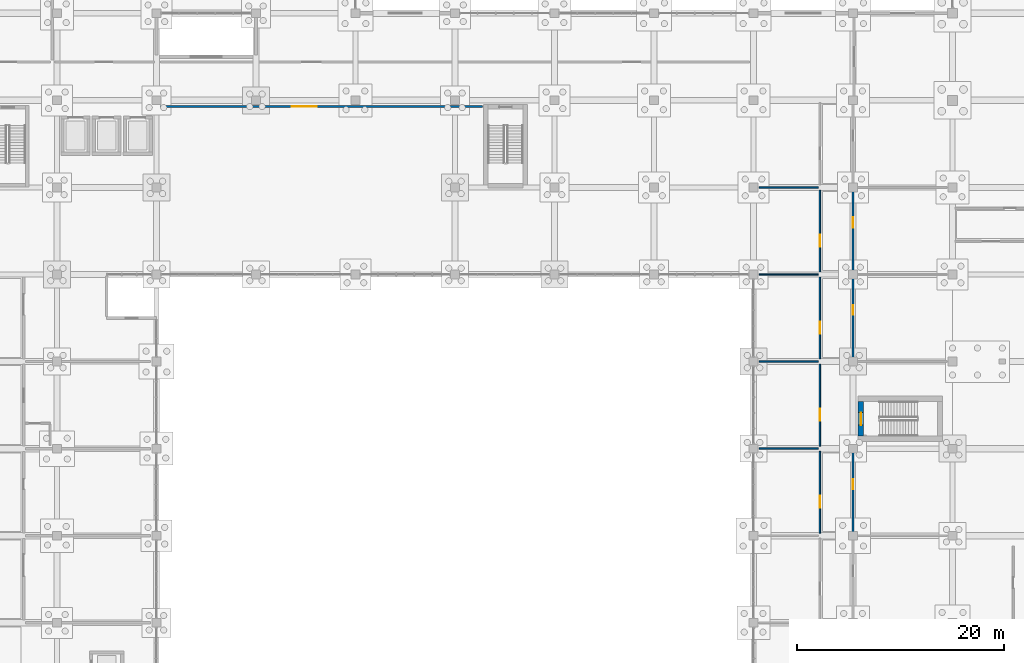
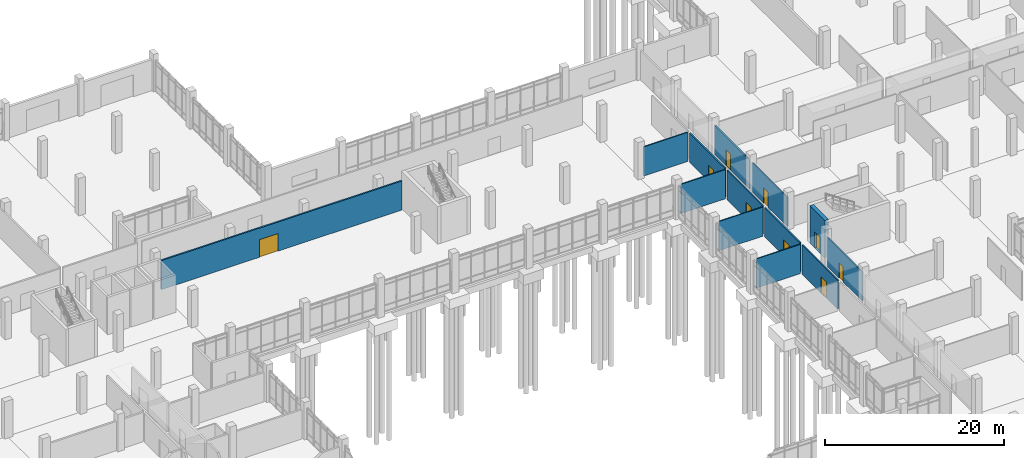
# One storey, part 109 of 136: 13 walls, 9 doors, 9 openings.
"""IFC4 building model written with IfcOpenShell, lengths in metres."""

from ifc_helpers import new_model, si_unit, direction, frame, frame_2d, origin, place, context, subcontext, project, spatial, rectangle, extrude, material, layer, layer_set, type_object, element, fill, save


model = new_model("IFC4")

# Units and contexts
model_context = context("Model", 3, precision=1e-05, world=origin(), true_north=direction((0.0, 1.0)))
body_context = subcontext(model_context, "Body", "Model", "MODEL_VIEW")
ifc_project = project(units=[si_unit("LENGTHUNIT", "METRE"), si_unit("AREAUNIT", "SQUARE_METRE"), si_unit("VOLUMEUNIT", "CUBIC_METRE"), si_unit("PLANEANGLEUNIT", "RADIAN"), si_unit("MASSUNIT", "GRAM", prefix="KILO")], contexts=[model_context])

# Site, building, storey
site_placement = place(None, origin())
site = spatial("IfcSite", under=ifc_project, at=site_placement, CompositionType="ELEMENT")
building_placement = place(site_placement, origin())
building = spatial("IfcBuilding", under=site, at=building_placement, Name="Oolite Switchyard Hospital", CompositionType="ELEMENT")
storey_placement = place(building_placement, origin())
storey = spatial("IfcBuildingStorey", under=building, at=storey_placement, Name="L00", CompositionType="ELEMENT", Elevation=0.0)

# Walls
ifc_material_1 = material(Name="Moisture-resistant gypsum board on steel studs", Category="steel")
ifc_layer_1 = layer(ifc_material_1, 0.135009765625)
ifc_layer_set_1 = layer_set([ifc_layer_1], Name="WAL-PART-135")
wall_type_1 = type_object("IfcWallType", Name="WAL-PART-135", PredefinedType="PARTITIONING", material=ifc_layer_set_1)
for number, where, z_axis, x_axis, name in (
    (1, (115.75, 67.199951171875, 0.0), (0.0, 0.0, 1.0), (1.0, 0.0, 0.0), "L00 Interior Partition 66"),
    (2, (115.75, 75.60009765625, 0.0), (0.0, 0.0, 1.0), (1.0, 0.0, 0.0), "L00 Interior Partition 68"),
    (3, (115.75, 84.0, 0.0), (0.0, 0.0, 1.0), (1.0, 0.0, 0.0), "L00 Interior Partition 72"),
    (4, (115.75, 92.39990234375, 0.0), (0.0, 0.0, 1.0), (1.0, 0.0, 0.0), "L00 Interior Partition 76"),
):
    element("IfcWall", number, at=place(storey_placement, frame(where, z_axis=z_axis, x_axis=x_axis)), inside=storey, type_object=wall_type_1, Name=name, PredefinedType="PARTITIONING", context=body_context, shape_type="SweptSolid", body=[
        extrude(rectangle(XDim=5.699951171875, YDim=0.135009765625, at=frame_2d((2.85009765625, 0.0))), origin(), (0.0, 0.0, 1.0), 3.97998046875),
    ])

# Wall, opening, door
ifc_layer_2 = layer(ifc_material_1, 0.1650390625)
ifc_layer_set_2 = layer_set([ifc_layer_2], Name="WAL-PART-165")
wall_type_2 = type_object("IfcWallType", Name="WAL-PART-165", PredefinedType="PARTITIONING", material=ifc_layer_set_2)
wall_1_placement = place(storey_placement, frame((121.60009765625, 59.050048828125, 0.0), z_axis=(0.0, 0.0, 1.0), x_axis=(0.0, 1.0, 0.0)))
wall_1 = element("IfcWall", 5, at=wall_1_placement, inside=storey, type_object=wall_type_2, Name="L00 Interior Partition 61", PredefinedType="PARTITIONING", context=body_context, shape_type="SweptSolid", body=[
    extrude(rectangle(XDim=7.89990234375, YDim=0.1650390625, at=frame_2d((3.949951171875, 0.0))), origin(), (0.0, 0.0, 1.0), 3.97998046875),
])
opening_1_placement = place(wall_1_placement, frame((2.449951171875, 0.0, 0.0)))
opening_1 = element("IfcOpeningElement", 6, at=opening_1_placement, cuts=wall_1, Name="Opening D-0038", PredefinedType="OPENING", context=body_context, shape_type="SweptSolid", body=[
    extrude(rectangle(XDim=1.14990234375, YDim=2.199951171875, at=frame_2d((0.574951171875, 1.10009765625))), frame((0.0, 0.092529296875, 0.0), z_axis=(0.0, -1.0, 0.0), x_axis=(1.0, 0.0, 0.0)), (0.0, 0.0, 1.0), 0.18505859375),
])
ifc_material_2 = material(Name="Solid-core antimicrobial hardwood leaf in steel frame", Category="steel")
door_type_1 = type_object("IfcDoorType", Name="DR-CLIN-115X220", OperationType="NOTDEFINED", PredefinedType="DOOR", material=ifc_material_2)
door_1_placement = place(opening_1_placement, origin())
door_1 = element("IfcDoor", 7, at=door_1_placement, inside=storey, type_object=door_type_1, Name="L00 Interior Door D-0038", OperationType="SINGLE_SWING_RIGHT", OverallHeight=2.199951171875, OverallWidth=1.14990234375, PredefinedType="DOOR", context=body_context, shape_type="SweptSolid", body=[
    extrude(rectangle(XDim=1.14990234375, YDim=2.199951171875, at=frame_2d((0.574951171875, 1.10009765625))), frame((0.0, 0.02490234375, 0.0), z_axis=(0.0, -1.0, 0.0), x_axis=(1.0, 0.0, 0.0)), (0.0, 0.0, 1.0), 0.050048828125),
])
fill(opening_1, door_1)

wall_2_placement = place(storey_placement, frame((124.800048828125, 59.050048828125, 0.0), z_axis=(0.0, 0.0, 1.0), x_axis=(0.0, 1.0, 0.0)))
wall_2 = element("IfcWall", 8, at=wall_2_placement, inside=storey, type_object=wall_type_2, Name="L00 Interior Partition 63", PredefinedType="PARTITIONING", context=body_context, shape_type="SweptSolid", body=[
    extrude(rectangle(XDim=7.89990234375, YDim=0.1650390625, at=frame_2d((3.949951171875, 0.0))), origin(), (0.0, 0.0, 1.0), 3.97998046875),
])
opening_2_placement = place(wall_2_placement, frame((4.25, 0.0, 0.0)))
opening_2 = element("IfcOpeningElement", 9, at=opening_2_placement, cuts=wall_2, Name="Opening D-0039", PredefinedType="OPENING", context=body_context, shape_type="SweptSolid", body=[
    extrude(rectangle(XDim=0.949951171875, YDim=2.10009765625, at=frame_2d((0.47509765625, 1.050048828125))), frame((0.0, 0.092529296875, 0.0), z_axis=(0.0, -1.0, 0.0), x_axis=(1.0, 0.0, 0.0)), (0.0, 0.0, 1.0), 0.18505859375),
])
door_type_2 = type_object("IfcDoorType", Name="DR-BATH-095X210", OperationType="NOTDEFINED", PredefinedType="DOOR", material=ifc_material_2)
door_2_placement = place(opening_2_placement, origin())
door_2 = element("IfcDoor", 10, at=door_2_placement, inside=storey, type_object=door_type_2, Name="L00 Interior Door D-0039", OperationType="SINGLE_SWING_LEFT", OverallHeight=2.10009765625, OverallWidth=0.949951171875, PredefinedType="DOOR", context=body_context, shape_type="SweptSolid", body=[
    extrude(rectangle(XDim=0.949951171875, YDim=2.10009765625, at=frame_2d((0.47509765625, 1.050048828125))), frame((0.0, 0.02490234375, 0.0), z_axis=(0.0, -1.0, 0.0), x_axis=(1.0, 0.0, 0.0)), (0.0, 0.0, 1.0), 0.050048828125),
])
fill(opening_2, door_2)

wall_3_placement = place(storey_placement, frame((121.60009765625, 67.449951171875, 0.0), z_axis=(0.0, 0.0, 1.0), x_axis=(0.0, 1.0, 0.0)))
wall_3 = element("IfcWall", 11, at=wall_3_placement, inside=storey, type_object=wall_type_2, Name="L00 Interior Partition 65", PredefinedType="PARTITIONING", context=body_context, shape_type="SweptSolid", body=[
    extrude(rectangle(XDim=7.900146484375, YDim=0.1650390625, at=frame_2d((3.9501953125, 0.0))), origin(), (0.0, 0.0, 1.0), 3.97998046875),
])
opening_3_placement = place(wall_3_placement, frame((2.449951171875, 0.0, 0.0)))
opening_3 = element("IfcOpeningElement", 12, at=opening_3_placement, cuts=wall_3, Name="Opening D-0040", PredefinedType="OPENING", context=body_context, shape_type="SweptSolid", body=[
    extrude(rectangle(XDim=1.14990234375, YDim=2.199951171875, at=frame_2d((0.574951171875, 1.10009765625))), frame((0.0, 0.092529296875, 0.0), z_axis=(0.0, -1.0, 0.0), x_axis=(1.0, 0.0, 0.0)), (0.0, 0.0, 1.0), 0.18505859375),
])
door_3_placement = place(opening_3_placement, origin())
door_3 = element("IfcDoor", 13, at=door_3_placement, inside=storey, type_object=door_type_1, Name="L00 Interior Door D-0040", OperationType="SINGLE_SWING_LEFT", OverallHeight=2.199951171875, OverallWidth=1.14990234375, PredefinedType="DOOR", context=body_context, shape_type="SweptSolid", body=[
    extrude(rectangle(XDim=1.14990234375, YDim=2.199951171875, at=frame_2d((0.574951171875, 1.10009765625))), frame((0.0, 0.02490234375, 0.0), z_axis=(0.0, -1.0, 0.0), x_axis=(1.0, 0.0, 0.0)), (0.0, 0.0, 1.0), 0.050048828125),
])
fill(opening_3, door_3)

wall_4_placement = place(storey_placement, frame((121.60009765625, 75.85009765625, 0.0), z_axis=(0.0, 0.0, 1.0), x_axis=(0.0, 1.0, 0.0)))
wall_4 = element("IfcWall", 14, at=wall_4_placement, inside=storey, type_object=wall_type_2, Name="L00 Interior Partition 67", PredefinedType="PARTITIONING", context=body_context, shape_type="SweptSolid", body=[
    extrude(rectangle(XDim=7.89990234375, YDim=0.1650390625, at=frame_2d((3.949951171875, 0.0))), origin(), (0.0, 0.0, 1.0), 3.97998046875),
])
opening_4_placement = place(wall_4_placement, frame((2.449951171875, 0.0, 0.0)))
opening_4 = element("IfcOpeningElement", 15, at=opening_4_placement, cuts=wall_4, Name="Opening D-0041", PredefinedType="OPENING", context=body_context, shape_type="SweptSolid", body=[
    extrude(rectangle(XDim=1.14990234375, YDim=2.199951171875, at=frame_2d((0.574951171875, 1.10009765625))), frame((0.0, 0.092529296875, 0.0), z_axis=(0.0, -1.0, 0.0), x_axis=(1.0, 0.0, 0.0)), (0.0, 0.0, 1.0), 0.18505859375),
])
door_4_placement = place(opening_4_placement, origin())
door_4 = element("IfcDoor", 16, at=door_4_placement, inside=storey, type_object=door_type_1, Name="L00 Interior Door D-0041", OperationType="SINGLE_SWING_RIGHT", OverallHeight=2.199951171875, OverallWidth=1.14990234375, PredefinedType="DOOR", context=body_context, shape_type="SweptSolid", body=[
    extrude(rectangle(XDim=1.14990234375, YDim=2.199951171875, at=frame_2d((0.574951171875, 1.10009765625))), frame((0.0, 0.02490234375, 0.0), z_axis=(0.0, -1.0, 0.0), x_axis=(1.0, 0.0, 0.0)), (0.0, 0.0, 1.0), 0.050048828125),
])
fill(opening_4, door_4)

wall_5_placement = place(storey_placement, frame((124.800048828125, 75.85009765625, 0.0), z_axis=(0.0, 0.0, 1.0), x_axis=(0.0, 1.0, 0.0)))
wall_5 = element("IfcWall", 17, at=wall_5_placement, inside=storey, type_object=wall_type_2, Name="L00 Interior Partition 69", PredefinedType="PARTITIONING", context=body_context, shape_type="SweptSolid", body=[
    extrude(rectangle(XDim=7.89990234375, YDim=0.1650390625, at=frame_2d((3.949951171875, 0.0))), origin(), (0.0, 0.0, 1.0), 3.97998046875),
])
opening_5_placement = place(wall_5_placement, frame((4.25, 0.0, 0.0)))
opening_5 = element("IfcOpeningElement", 18, at=opening_5_placement, cuts=wall_5, Name="Opening D-0042", PredefinedType="OPENING", context=body_context, shape_type="SweptSolid", body=[
    extrude(rectangle(XDim=0.949951171875, YDim=2.10009765625, at=frame_2d((0.47509765625, 1.050048828125))), frame((0.0, 0.092529296875, 0.0), z_axis=(0.0, -1.0, 0.0), x_axis=(1.0, 0.0, 0.0)), (0.0, 0.0, 1.0), 0.18505859375),
])
door_5_placement = place(opening_5_placement, origin())
door_5 = element("IfcDoor", 19, at=door_5_placement, inside=storey, type_object=door_type_2, Name="L00 Interior Door D-0042", OperationType="SINGLE_SWING_LEFT", OverallHeight=2.10009765625, OverallWidth=0.949951171875, PredefinedType="DOOR", context=body_context, shape_type="SweptSolid", body=[
    extrude(rectangle(XDim=0.949951171875, YDim=2.10009765625, at=frame_2d((0.47509765625, 1.050048828125))), frame((0.0, 0.02490234375, 0.0), z_axis=(0.0, -1.0, 0.0), x_axis=(1.0, 0.0, 0.0)), (0.0, 0.0, 1.0), 0.050048828125),
])
fill(opening_5, door_5)

wall_6_placement = place(storey_placement, frame((121.60009765625, 84.25, 0.0), z_axis=(0.0, 0.0, 1.0), x_axis=(0.0, 1.0, 0.0)))
wall_6 = element("IfcWall", 20, at=wall_6_placement, inside=storey, type_object=wall_type_2, Name="L00 Interior Partition 71", PredefinedType="PARTITIONING", context=body_context, shape_type="SweptSolid", body=[
    extrude(rectangle(XDim=7.89990234375, YDim=0.1650390625, at=frame_2d((3.949951171875, 0.0))), origin(), (0.0, 0.0, 1.0), 3.97998046875),
])
opening_6_placement = place(wall_6_placement, frame((2.449951171875, 0.0, 0.0)))
opening_6 = element("IfcOpeningElement", 21, at=opening_6_placement, cuts=wall_6, Name="Opening D-0043", PredefinedType="OPENING", context=body_context, shape_type="SweptSolid", body=[
    extrude(rectangle(XDim=1.14990234375, YDim=2.199951171875, at=frame_2d((0.574951171875, 1.10009765625))), frame((0.0, 0.092529296875, 0.0), z_axis=(0.0, -1.0, 0.0), x_axis=(1.0, 0.0, 0.0)), (0.0, 0.0, 1.0), 0.18505859375),
])
door_6_placement = place(opening_6_placement, origin())
door_6 = element("IfcDoor", 22, at=door_6_placement, inside=storey, type_object=door_type_1, Name="L00 Interior Door D-0043", OperationType="SINGLE_SWING_LEFT", OverallHeight=2.199951171875, OverallWidth=1.14990234375, PredefinedType="DOOR", context=body_context, shape_type="SweptSolid", body=[
    extrude(rectangle(XDim=1.14990234375, YDim=2.199951171875, at=frame_2d((0.574951171875, 1.10009765625))), frame((0.0, 0.02490234375, 0.0), z_axis=(0.0, -1.0, 0.0), x_axis=(1.0, 0.0, 0.0)), (0.0, 0.0, 1.0), 0.050048828125),
])
fill(opening_6, door_6)

wall_7_placement = place(storey_placement, frame((124.800048828125, 84.25, 0.0), z_axis=(0.0, 0.0, 1.0), x_axis=(0.0, 1.0, 0.0)))
wall_7 = element("IfcWall", 23, at=wall_7_placement, inside=storey, type_object=wall_type_2, Name="L00 Interior Partition 73", PredefinedType="PARTITIONING", context=body_context, shape_type="SweptSolid", body=[
    extrude(rectangle(XDim=7.89990234375, YDim=0.1650390625, at=frame_2d((3.949951171875, 0.0))), origin(), (0.0, 0.0, 1.0), 3.97998046875),
])
opening_7_placement = place(wall_7_placement, frame((4.25, 0.0, 0.0)))
opening_7 = element("IfcOpeningElement", 24, at=opening_7_placement, cuts=wall_7, Name="Opening D-0044", PredefinedType="OPENING", context=body_context, shape_type="SweptSolid", body=[
    extrude(rectangle(XDim=1.0, YDim=2.199951171875, at=frame_2d((0.5, 1.10009765625))), frame((0.0, 0.092529296875, 0.0), z_axis=(0.0, -1.0, 0.0), x_axis=(1.0, 0.0, 0.0)), (0.0, 0.0, 1.0), 0.18505859375),
])
door_type_3 = type_object("IfcDoorType", Name="DR-OFF-100X220", OperationType="NOTDEFINED", PredefinedType="DOOR", material=ifc_material_2)
door_7_placement = place(opening_7_placement, origin())
door_7 = element("IfcDoor", 25, at=door_7_placement, inside=storey, type_object=door_type_3, Name="L00 Interior Door D-0044", OperationType="SINGLE_SWING_RIGHT", OverallHeight=2.199951171875, OverallWidth=1.0, PredefinedType="DOOR", context=body_context, shape_type="SweptSolid", body=[
    extrude(rectangle(XDim=1.0, YDim=2.199951171875, at=frame_2d((0.5, 1.10009765625))), frame((0.0, 0.02490234375, 0.0), z_axis=(0.0, -1.0, 0.0), x_axis=(1.0, 0.0, 0.0)), (0.0, 0.0, 1.0), 0.050048828125),
])
fill(opening_7, door_7)

ifc_material_3 = material(Name="Concrete C50/60", Category="concrete")
ifc_layer_3 = layer(ifc_material_3, 0.5)
ifc_layer_set_3 = layer_set([ifc_layer_3], Name="WAL-SHR-500")
wall_type_3 = type_object("IfcWallType", Name="WAL-SHR-500", PredefinedType="SHEAR", material=ifc_layer_set_3)
wall_8_placement = place(storey_placement, frame((125.550048828125, 71.760009765625, 0.0), z_axis=(0.0, 0.0, 1.0), x_axis=(0.0, -1.0, 0.0)))
wall_8 = element("IfcWall", 26, at=wall_8_placement, inside=storey, type_object=wall_type_3, Name="L00 Core Shear Wall ST-10", PredefinedType="SHEAR", context=body_context, shape_type="SweptSolid", body=[
    extrude(rectangle(XDim=3.360107421875, YDim=0.5, at=frame_2d((1.68017578125, 0.0))), origin(), (0.0, 0.0, 1.0), 5.10009765625),
])
opening_8_placement = place(wall_8_placement, frame((1.080078125, 0.0, 0.0)))
opening_8 = element("IfcOpeningElement", 27, at=opening_8_placement, cuts=wall_8, Name="Opening SD-053", PredefinedType="OPENING", context=body_context, shape_type="SweptSolid", body=[
    extrude(rectangle(XDim=1.199951171875, YDim=2.199951171875, at=frame_2d((0.60009765625, 1.10009765625))), frame((0.0, 0.260009765625, 0.0), z_axis=(0.0, -1.0, 0.0), x_axis=(1.0, 0.0, 0.0)), (0.0, 0.0, 1.0), 0.52001953125),
])
ifc_material_4 = material(Name="Hollow metal fire-rated steel door assembly", Category="steel")
door_type_4 = type_object("IfcDoorType", Name="DR-STR-120X220", OperationType="NOTDEFINED", PredefinedType="DOOR", material=ifc_material_4)
door_8_placement = place(opening_8_placement, origin())
door_8 = element("IfcDoor", 28, at=door_8_placement, inside=storey, type_object=door_type_4, Name="L00 ST-10 Exit Stair Door SD-053", OperationType="SINGLE_SWING_RIGHT", OverallHeight=2.199951171875, OverallWidth=1.199951171875, PredefinedType="DOOR", context=body_context, shape_type="SweptSolid", body=[
    extrude(rectangle(XDim=1.199951171875, YDim=2.199951171875, at=frame_2d((0.60009765625, 1.10009765625))), frame((0.0, 0.02490234375, 0.0), z_axis=(0.0, -1.0, 0.0), x_axis=(1.0, 0.0, 0.0)), (0.0, 0.0, 1.0), 0.050048828125),
])
fill(opening_8, door_8)

ifc_layer_4 = layer(ifc_material_1, 0.199951171875)
ifc_layer_set_4 = layer_set([ifc_layer_4], Name="WAL-SMK-200")
wall_type_4 = type_object("IfcWallType", Name="WAL-SMK-200", PredefinedType="PARTITIONING", material=ifc_layer_set_4)
wall_9_placement = place(storey_placement, frame((58.0, 100.199951171875, 0.0), z_axis=(0.0, 0.0, 1.0), x_axis=(1.0, 0.0, 0.0)))
wall_9 = element("IfcWall", 29, at=wall_9_placement, inside=storey, type_object=wall_type_4, Name="L00 Interior Partition 84", PredefinedType="PARTITIONING", context=body_context, shape_type="SweptSolid", body=[
    extrude(rectangle(XDim=31.070068359375, YDim=0.199951171875, at=frame_2d((15.53515625, 0.0))), origin(), (0.0, 0.0, 1.0), 3.97998046875),
])
opening_9_placement = place(wall_9_placement, frame((12.64990234375, 0.0, 0.0)))
opening_9 = element("IfcOpeningElement", 30, at=opening_9_placement, cuts=wall_9, Name="Opening D-0050", PredefinedType="OPENING", context=body_context, shape_type="SweptSolid", body=[
    extrude(rectangle(XDim=2.39990234375, YDim=2.39990234375, at=frame_2d((1.199951171875, 1.199951171875))), frame((0.0, 0.10986328125, 0.0), z_axis=(0.0, -1.0, 0.0), x_axis=(1.0, 0.0, 0.0)), (0.0, 0.0, 1.0), 0.219970703125),
])
door_type_5 = type_object("IfcDoorType", Name="DR-HALL-240X240", OperationType="NOTDEFINED", PredefinedType="DOOR", material=ifc_material_4)
door_9_placement = place(opening_9_placement, origin())
door_9 = element("IfcDoor", 31, at=door_9_placement, inside=storey, type_object=door_type_5, Name="L00 Interior Door D-0050", OperationType="DOUBLE_DOOR_SINGLE_SWING", OverallHeight=2.39990234375, OverallWidth=2.39990234375, PredefinedType="DOOR", context=body_context, shape_type="SweptSolid", body=[
    extrude(rectangle(XDim=2.39990234375, YDim=2.39990234375, at=frame_2d((1.199951171875, 1.199951171875))), frame((0.0, 0.02490234375, 0.0), z_axis=(0.0, -1.0, 0.0), x_axis=(1.0, 0.0, 0.0)), (0.0, 0.0, 1.0), 0.050048828125),
])
fill(opening_9, door_9)

save(model, "model.ifc")
